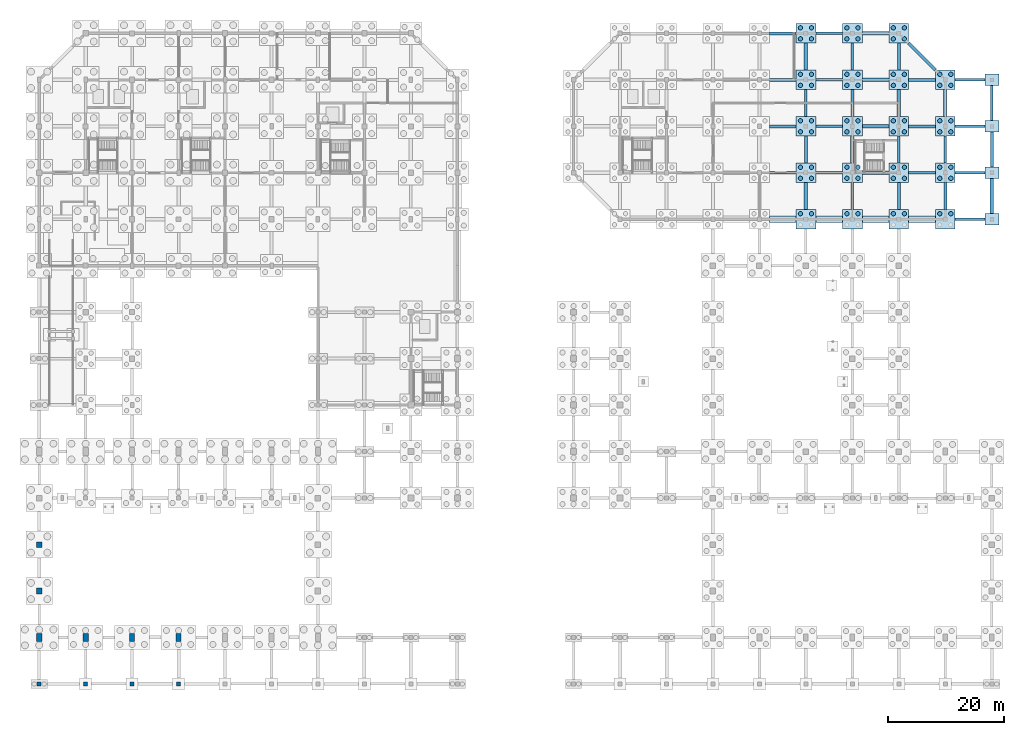
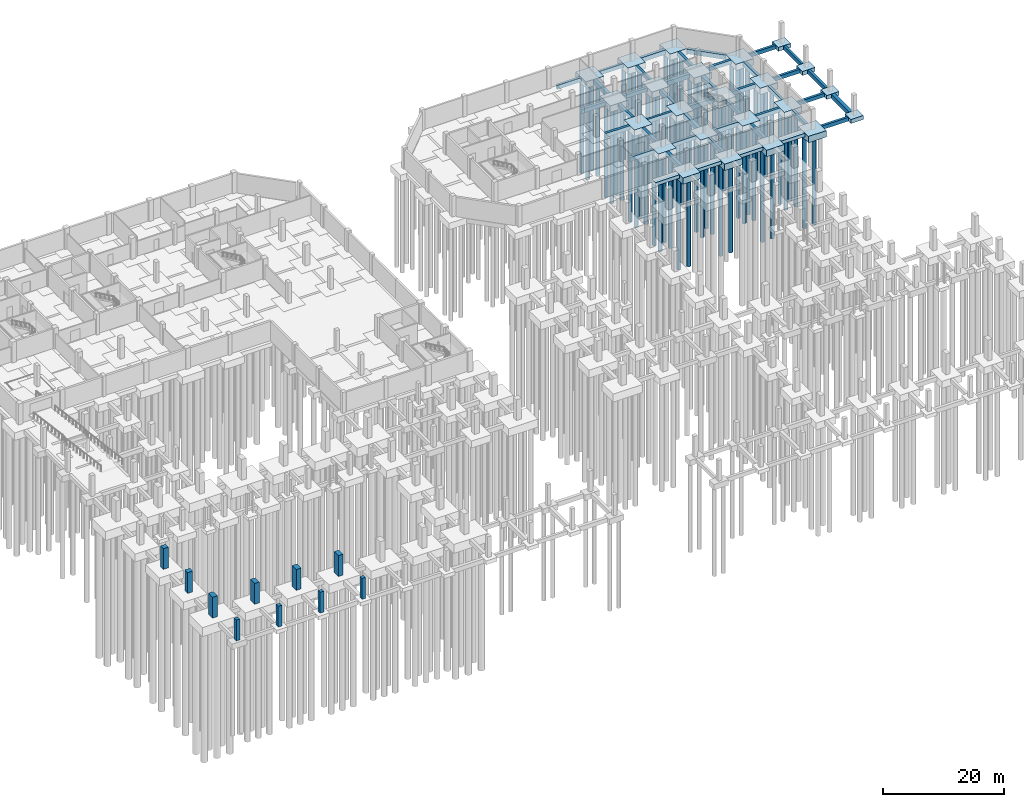
# One storey, part 10 of 32: 68 piles, 65 footings, 10 columns.
"""IFC4 building model written with IfcOpenShell, lengths in metres."""

from ifc_helpers import new_model, si_unit, direction, frame, origin, origin_2d, place, context, subcontext, project, spatial, polyline, rectangle, circle, outline, extrude, material, material_profile, profile_set, type_object, element, save


model = new_model("IFC4")

# Units and contexts
model_context = context("Model", 3, precision=1e-05, world=origin(), true_north=direction((0.0, 1.0)))
body_context = subcontext(model_context, "Body", "Model", "MODEL_VIEW")
ifc_project = project(units=[si_unit("LENGTHUNIT", "METRE"), si_unit("AREAUNIT", "SQUARE_METRE"), si_unit("VOLUMEUNIT", "CUBIC_METRE"), si_unit("PLANEANGLEUNIT", "RADIAN"), si_unit("MASSUNIT", "GRAM", prefix="KILO")], contexts=[model_context])

# Site, building, storey
site_placement = place(None, origin())
site = spatial("IfcSite", under=ifc_project, at=site_placement, CompositionType="ELEMENT")
building_placement = place(site_placement, origin())
building = spatial("IfcBuilding", under=site, at=building_placement, Name="Tenunan Teduh Sports Hall", CompositionType="ELEMENT")
storey_placement = place(building_placement, frame((0.0, 0.0, -4.199951171875)))
storey = spatial("IfcBuildingStorey", under=building, at=storey_placement, Name="B1", CompositionType="ELEMENT", Elevation=-4.199951171875)

# Footings
ifc_material_1 = material(Name="Concrete C40/50", Category="concrete")
ifc_material_profile_1 = material_profile(ifc_material_1, rectangle(XDim=0.449951171875, YDim=0.75, at=origin_2d()), Name="RCB 450x750")
ifc_profile_set_1 = profile_set([ifc_material_profile_1], Name="Concrete C40/50")
footing_type_1 = type_object("IfcFootingType", Name="GB-450x750", PredefinedType="FOOTING_BEAM", material=ifc_profile_set_1)
footing_1_placement = place(storey_placement, frame((163.701904296875, 86.0, -0.375), z_axis=(1.0, 0.0, 0.0), x_axis=(0.0, 1.0, 0.0)))
element("IfcFooting", 1, at=footing_1_placement, inside=storey, type_object=footing_type_1, Name="FTG-GBX-110", PredefinedType="FOOTING_BEAM", context=body_context, shape_type="SweptSolid", body=[
    extrude(rectangle(XDim=0.449951171875, YDim=0.75, at=origin_2d()), origin(), (0.0, 0.0, 1.0), 5.09619140625),
])
footing_2_placement = place(storey_placement, frame((139.701904296875, 94.0, -0.375), z_axis=(1.0, 0.0, 0.0), x_axis=(0.0, 1.0, 0.0)))
element("IfcFooting", 2, at=footing_2_placement, inside=storey, type_object=footing_type_1, Name="FTG-GBX-125", PredefinedType="FOOTING_BEAM", context=body_context, shape_type="SweptSolid", body=[
    extrude(rectangle(XDim=0.449951171875, YDim=0.75, at=origin_2d()), origin(), (0.0, 0.0, 1.0), 4.59619140625),
])
footing_3_placement = place(storey_placement, frame((163.701904296875, 94.0, -0.375), z_axis=(1.0, 0.0, 0.0), x_axis=(0.0, 1.0, 0.0)))
element("IfcFooting", 3, at=footing_3_placement, inside=storey, type_object=footing_type_1, Name="FTG-GBX-128", PredefinedType="FOOTING_BEAM", context=body_context, shape_type="SweptSolid", body=[
    extrude(rectangle(XDim=0.449951171875, YDim=0.75, at=origin_2d()), origin(), (0.0, 0.0, 1.0), 5.09619140625),
])
footing_4_placement = place(storey_placement, frame((139.701904296875, 102.0, -0.375), z_axis=(1.0, 0.0, 0.0), x_axis=(0.0, 1.0, 0.0)))
element("IfcFooting", 4, at=footing_4_placement, inside=storey, type_object=footing_type_1, Name="FTG-GBX-143", PredefinedType="FOOTING_BEAM", context=body_context, shape_type="SweptSolid", body=[
    extrude(rectangle(XDim=0.449951171875, YDim=0.75, at=origin_2d()), origin(), (0.0, 0.0, 1.0), 4.59619140625),
])
footing_5_placement = place(storey_placement, frame((163.701904296875, 102.0, -0.375), z_axis=(1.0, 0.0, 0.0), x_axis=(0.0, 1.0, 0.0)))
element("IfcFooting", 5, at=footing_5_placement, inside=storey, type_object=footing_type_1, Name="FTG-GBX-146", PredefinedType="FOOTING_BEAM", context=body_context, shape_type="SweptSolid", body=[
    extrude(rectangle(XDim=0.449951171875, YDim=0.75, at=origin_2d()), origin(), (0.0, 0.0, 1.0), 5.09619140625),
])
footing_6_placement = place(storey_placement, frame((139.701904296875, 110.0, -0.375), z_axis=(1.0, 0.0, 0.0), x_axis=(0.0, 1.0, 0.0)))
element("IfcFooting", 6, at=footing_6_placement, inside=storey, type_object=footing_type_1, Name="FTG-GBX-161", PredefinedType="FOOTING_BEAM", context=body_context, shape_type="SweptSolid", body=[
    extrude(rectangle(XDim=0.449951171875, YDim=0.75, at=origin_2d()), origin(), (0.0, 0.0, 1.0), 4.59619140625),
])
footing_7_placement = place(storey_placement, frame((163.701904296875, 110.0, -0.375), z_axis=(1.0, 0.0, 0.0), x_axis=(0.0, 1.0, 0.0)))
element("IfcFooting", 7, at=footing_7_placement, inside=storey, type_object=footing_type_1, Name="FTG-GBX-164", PredefinedType="FOOTING_BEAM", context=body_context, shape_type="SweptSolid", body=[
    extrude(rectangle(XDim=0.449951171875, YDim=0.75, at=origin_2d()), origin(), (0.0, 0.0, 1.0), 5.09619140625),
])
for number, where, z_axis, x_axis, name in (
    (8, (139.701904296875, 118.0, -0.375), (1.0, 0.0, 0.0), (0.0, 1.0, 0.0), "FTG-GBX-169"),
    (9, (138.0, 103.701904296875, -0.375), (0.0, 1.0, 0.0), (-1.0, 0.0, 0.0), "FTG-GBY-304"),
    (10, (146.0, 87.701904296875, -0.375), (0.0, 1.0, 0.0), (-1.0, 0.0, 0.0), "FTG-GBY-313"),
    (11, (146.0, 111.701904296875, -0.375), (0.0, 1.0, 0.0), (-1.0, 0.0, 0.0), "FTG-GBY-316"),
    (12, (154.0, 95.701904296875, -0.375), (0.0, 1.0, 0.0), (-1.0, 0.0, 0.0), "FTG-GBY-325"),
    (13, (162.0, 95.701904296875, -0.375), (0.0, 1.0, 0.0), (-1.0, 0.0, 0.0), "FTG-GBY-331"),
):
    element("IfcFooting", number, at=place(storey_placement, frame(where, z_axis=z_axis, x_axis=x_axis)), inside=storey, type_object=footing_type_1, Name=name, PredefinedType="FOOTING_BEAM", context=body_context, shape_type="SweptSolid", body=[
        extrude(rectangle(XDim=0.449951171875, YDim=0.75, at=origin_2d()), origin(), (0.0, 0.0, 1.0), 4.59619140625),
    ])
footing_8_placement = place(storey_placement, frame((170.0, 103.001953125, -0.375), z_axis=(0.0, 1.0, 0.0), x_axis=(-1.0, 0.0, 0.0)))
element("IfcFooting", 14, at=footing_8_placement, inside=storey, type_object=footing_type_1, Name="FTG-GBY-340", PredefinedType="FOOTING_BEAM", context=body_context, shape_type="SweptSolid", body=[
    extrude(rectangle(XDim=0.449951171875, YDim=0.75, at=origin_2d()), origin(), (0.0, 0.0, 1.0), 5.99609375),
])
ifc_material_2 = material(Name="Concrete C40/50", Category="concrete")
ifc_material_profile_2 = material_profile(ifc_material_2, rectangle(XDim=0.5, YDim=0.800048828125, at=origin_2d()), Name="RCB 500x800")
ifc_profile_set_2 = profile_set([ifc_material_profile_2], Name="Concrete C40/50")
footing_type_2 = type_object("IfcFootingType", Name="GB-500x800", PredefinedType="FOOTING_BEAM", material=ifc_profile_set_2)
for number, where, z_axis, x_axis, name in (
    (15, (131.701904296875, 94.0, -0.400146484375), (1.0, 0.0, 0.0), (0.0, 1.0, 0.0), "FTG-GBX-124"),
    (16, (155.701904296875, 94.0, -0.400146484375), (1.0, 0.0, 0.0), (0.0, 1.0, 0.0), "FTG-GBX-127"),
    (17, (131.701904296875, 102.0, -0.400146484375), (1.0, 0.0, 0.0), (0.0, 1.0, 0.0), "FTG-GBX-142"),
    (18, (155.701904296875, 102.0, -0.400146484375), (1.0, 0.0, 0.0), (0.0, 1.0, 0.0), "FTG-GBX-145"),
    (19, (131.701904296875, 110.0, -0.400146484375), (1.0, 0.0, 0.0), (0.0, 1.0, 0.0), "FTG-GBX-160"),
    (20, (155.701904296875, 110.0, -0.400146484375), (1.0, 0.0, 0.0), (0.0, 1.0, 0.0), "FTG-GBX-163"),
    (21, (131.701904296875, 118.0, -0.400146484375), (1.0, 0.0, 0.0), (0.0, 1.0, 0.0), "FTG-GBX-168"),
    (22, (138.0, 95.701904296875, -0.400146484375), (0.0, 1.0, 0.0), (-1.0, 0.0, 0.0), "FTG-GBY-303"),
    (23, (146.0, 103.701904296875, -0.400146484375), (0.0, 1.0, 0.0), (-1.0, 0.0, 0.0), "FTG-GBY-315"),
    (24, (154.0, 87.701904296875, -0.400146484375), (0.0, 1.0, 0.0), (-1.0, 0.0, 0.0), "FTG-GBY-324"),
    (25, (154.0, 111.701904296875, -0.400146484375), (0.0, 1.0, 0.0), (-1.0, 0.0, 0.0), "FTG-GBY-327"),
    (26, (162.0, 87.701904296875, -0.400146484375), (0.0, 1.0, 0.0), (-1.0, 0.0, 0.0), "FTG-GBY-330"),
):
    element("IfcFooting", number, at=place(storey_placement, frame(where, z_axis=z_axis, x_axis=x_axis)), inside=storey, type_object=footing_type_2, Name=name, PredefinedType="FOOTING_BEAM", context=body_context, shape_type="SweptSolid", body=[
        extrude(rectangle(XDim=0.5, YDim=0.800048828125, at=origin_2d()), origin(), (0.0, 0.0, 1.0), 4.59619140625),
    ])
footing_9_placement = place(storey_placement, frame((170.0, 95.001953125, -0.400146484375), z_axis=(0.0, 1.0, 0.0), x_axis=(-1.0, 0.0, 0.0)))
element("IfcFooting", 27, at=footing_9_placement, inside=storey, type_object=footing_type_2, Name="FTG-GBY-339", PredefinedType="FOOTING_BEAM", context=body_context, shape_type="SweptSolid", body=[
    extrude(rectangle(XDim=0.5, YDim=0.800048828125, at=origin_2d()), origin(), (0.0, 0.0, 1.0), 5.99609375),
])
ifc_material_3 = material(Name="Concrete C40/50", Category="concrete")
ifc_material_profile_3 = material_profile(ifc_material_3, rectangle(XDim=0.60009765625, YDim=0.89990234375, at=origin_2d()), Name="RCB 600x900")
ifc_profile_set_3 = profile_set([ifc_material_profile_3], Name="Concrete C40/50")
footing_type_3 = type_object("IfcFootingType", Name="GB-600x900", PredefinedType="FOOTING_BEAM", material=ifc_profile_set_3)
for number, where, z_axis, x_axis, name in (
    (28, (147.701904296875, 94.0, -0.449951171875), (1.0, 0.0, 0.0), (0.0, 1.0, 0.0), "FTG-GBX-126"),
    (29, (147.701904296875, 102.0, -0.449951171875), (1.0, 0.0, 0.0), (0.0, 1.0, 0.0), "FTG-GBX-144"),
    (30, (147.701904296875, 110.0, -0.449951171875), (1.0, 0.0, 0.0), (0.0, 1.0, 0.0), "FTG-GBX-162"),
    (31, (147.701904296875, 118.0, -0.449951171875), (1.0, 0.0, 0.0), (0.0, 1.0, 0.0), "FTG-GBX-170"),
    (32, (138.0, 87.701904296875, -0.449951171875), (0.0, 1.0, 0.0), (-1.0, 0.0, 0.0), "FTG-GBY-302"),
    (33, (138.0, 111.701904296875, -0.449951171875), (0.0, 1.0, 0.0), (-1.0, 0.0, 0.0), "FTG-GBY-305"),
    (34, (146.0, 95.701904296875, -0.449951171875), (0.0, 1.0, 0.0), (-1.0, 0.0, 0.0), "FTG-GBY-314"),
    (35, (154.0, 103.701904296875, -0.449951171875), (0.0, 1.0, 0.0), (-1.0, 0.0, 0.0), "FTG-GBY-326"),
    (36, (162.0, 103.701904296875, -0.449951171875), (0.0, 1.0, 0.0), (-1.0, 0.0, 0.0), "FTG-GBY-332"),
):
    element("IfcFooting", number, at=place(storey_placement, frame(where, z_axis=z_axis, x_axis=x_axis)), inside=storey, type_object=footing_type_3, Name=name, PredefinedType="FOOTING_BEAM", context=body_context, shape_type="SweptSolid", body=[
        extrude(rectangle(XDim=0.60009765625, YDim=0.89990234375, at=origin_2d()), origin(), (0.0, 0.0, 1.0), 4.59619140625),
    ])
footing_10_placement = place(storey_placement, frame((170.0, 87.001953125, -0.449951171875), z_axis=(0.0, 1.0, 0.0), x_axis=(-1.0, 0.0, 0.0)))
element("IfcFooting", 37, at=footing_10_placement, inside=storey, type_object=footing_type_3, Name="FTG-GBY-338", PredefinedType="FOOTING_BEAM", context=body_context, shape_type="SweptSolid", body=[
    extrude(rectangle(XDim=0.60009765625, YDim=0.89990234375, at=origin_2d()), origin(), (0.0, 0.0, 1.0), 5.99609375),
])
footing_11_placement = place(storey_placement, frame((155.701904296875, 116.298095703125, -0.449951171875), z_axis=(0.707106781187, -0.707106781187, 0.0), x_axis=(0.707106781187, 0.707106781187, 0.0)))
element("IfcFooting", 38, at=footing_11_placement, inside=storey, type_object=footing_type_3, Name="FTG-GBD-344", PredefinedType="FOOTING_BEAM", context=body_context, shape_type="SweptSolid", body=[
    extrude(rectangle(XDim=0.60009765625, YDim=0.89990234375, at=origin_2d()), origin(), (0.0, 0.0, 1.0), 6.5),
])
ifc_material_4 = material(Name="Concrete C40/50", Category="concrete")
footing_type_4 = type_object("IfcFootingType", Name="PC-4A", PredefinedType="PILE_CAP", material=ifc_material_4)
for number, where, z_axis, x_axis, name in (
    (39, (138.0, 86.0, -1.30029296875), (0.0, 0.0, 1.0), (1.0, 0.0, 0.0), "FTG-PC-181"),
    (40, (138.0, 94.0, -1.30029296875), (0.0, 0.0, 1.0), (1.0, 0.0, 0.0), "FTG-PC-182"),
    (41, (138.0, 102.0, -1.30029296875), (0.0, 0.0, 1.0), (1.0, 0.0, 0.0), "FTG-PC-183"),
    (42, (138.0, 110.0, -1.30029296875), (0.0, 0.0, 1.0), (1.0, 0.0, 0.0), "FTG-PC-184"),
    (43, (138.0, 118.0, -1.30029296875), (0.0, 0.0, 1.0), (1.0, 0.0, 0.0), "FTG-PC-185"),
    (44, (146.0, 86.0, -1.30029296875), (0.0, 0.0, 1.0), (1.0, 0.0, 0.0), "FTG-PC-194"),
    (45, (146.0, 94.0, -1.30029296875), (0.0, 0.0, 1.0), (1.0, 0.0, 0.0), "FTG-PC-195"),
    (46, (146.0, 102.0, -1.30029296875), (0.0, 0.0, 1.0), (1.0, 0.0, 0.0), "FTG-PC-196"),
    (47, (146.0, 110.0, -1.30029296875), (0.0, 0.0, 1.0), (1.0, 0.0, 0.0), "FTG-PC-197"),
    (48, (146.0, 118.0, -1.30029296875), (0.0, 0.0, 1.0), (1.0, 0.0, 0.0), "FTG-PC-198"),
    (49, (154.0, 86.0, -1.30029296875), (0.0, 0.0, 1.0), (1.0, 0.0, 0.0), "FTG-PC-207"),
    (50, (154.0, 94.0, -1.30029296875), (0.0, 0.0, 1.0), (1.0, 0.0, 0.0), "FTG-PC-208"),
    (51, (154.0, 102.0, -1.30029296875), (0.0, 0.0, 1.0), (1.0, 0.0, 0.0), "FTG-PC-209"),
    (52, (154.0, 110.0, -1.30029296875), (0.0, 0.0, 1.0), (1.0, 0.0, 0.0), "FTG-PC-210"),
    (53, (154.0, 118.0, -1.30029296875), (0.0, 0.0, 1.0), (1.0, 0.0, 0.0), "FTG-PC-211"),
    (54, (162.0, 86.0, -1.30029296875), (0.0, 0.0, 1.0), (1.0, 0.0, 0.0), "FTG-PC-216"),
    (55, (162.0, 94.0, -1.30029296875), (0.0, 0.0, 1.0), (1.0, 0.0, 0.0), "FTG-PC-217"),
    (56, (162.0, 102.0, -1.30029296875), (0.0, 0.0, 1.0), (1.0, 0.0, 0.0), "FTG-PC-218"),
    (57, (162.0, 110.0, -1.30029296875), (0.0, 0.0, 1.0), (1.0, 0.0, 0.0), "FTG-PC-219"),
):
    element("IfcFooting", number, at=place(storey_placement, frame(where, z_axis=z_axis, x_axis=x_axis)), inside=storey, type_object=footing_type_4, Name=name, PredefinedType="PILE_CAP", context=body_context, shape_type="SweptSolid", body=[
        extrude(rectangle(XDim=3.39990234375, YDim=3.39990234375, at=origin_2d()), origin(), (0.0, 0.0, 1.0), 1.300048828125),
    ])
ifc_material_5 = material(Name="Concrete C40/50", Category="concrete")
footing_type_5 = type_object("IfcFootingType", Name="PF-1C", PredefinedType="PAD_FOOTING", material=ifc_material_5)
for number, where, z_axis, x_axis, name in (
    (58, (170.0, 86.0, -0.80029296875), (0.0, 0.0, 1.0), (1.0, 0.0, 0.0), "FTG-PAD-226"),
    (59, (170.0, 94.0, -0.80029296875), (0.0, 0.0, 1.0), (1.0, 0.0, 0.0), "FTG-PAD-227"),
    (60, (170.0, 102.0, -0.80029296875), (0.0, 0.0, 1.0), (1.0, 0.0, 0.0), "FTG-PAD-228"),
    (61, (170.0, 110.0, -0.80029296875), (0.0, 0.0, 1.0), (1.0, 0.0, 0.0), "FTG-PAD-229"),
):
    element("IfcFooting", number, at=place(storey_placement, frame(where, z_axis=z_axis, x_axis=x_axis)), inside=storey, type_object=footing_type_5, Name=name, PredefinedType="PAD_FOOTING", context=body_context, shape_type="SweptSolid", body=[
        extrude(rectangle(XDim=2.39990234375, YDim=2.0, at=origin_2d()), origin(), (0.0, 0.0, 1.0), 0.800048828125),
    ])

# Piles
ifc_material_6 = material(Name="Concrete C40/50", Category="concrete")
ifc_material_profile_4 = material_profile(ifc_material_6, circle(Radius=0.375, at=origin_2d()), Name="PILE D750")
ifc_profile_set_4 = profile_set([ifc_material_profile_4], Name="Concrete C40/50")
pile_type = type_object("IfcPileType", Name="PILE-D750", PredefinedType="BORED", material=ifc_profile_set_4)
for number, where, z_axis, x_axis, name in (
    (62, (137.050048828125, 86.949951171875, -1.199951171875), (0.0, 0.0, -1.0), (1.0, 0.0, 0.0), "PILE-PL-1-181-3"),
    (63, (138.949951171875, 86.949951171875, -1.199951171875), (0.0, 0.0, -1.0), (1.0, 0.0, 0.0), "PILE-PL-1-181-4"),
    (64, (137.050048828125, 93.050048828125, -1.199951171875), (0.0, 0.0, -1.0), (1.0, 0.0, 0.0), "PILE-PL-1-182-1"),
    (65, (138.949951171875, 93.050048828125, -1.199951171875), (0.0, 0.0, -1.0), (1.0, 0.0, 0.0), "PILE-PL-1-182-2"),
    (66, (137.050048828125, 94.949951171875, -1.199951171875), (0.0, 0.0, -1.0), (1.0, 0.0, 0.0), "PILE-PL-1-182-3"),
    (67, (138.949951171875, 94.949951171875, -1.199951171875), (0.0, 0.0, -1.0), (1.0, 0.0, 0.0), "PILE-PL-1-182-4"),
    (68, (137.050048828125, 101.050048828125, -1.199951171875), (0.0, 0.0, -1.0), (1.0, 0.0, 0.0), "PILE-PL-1-183-1"),
    (69, (138.949951171875, 101.050048828125, -1.199951171875), (0.0, 0.0, -1.0), (1.0, 0.0, 0.0), "PILE-PL-1-183-2"),
    (70, (137.050048828125, 102.949951171875, -1.199951171875), (0.0, 0.0, -1.0), (1.0, 0.0, 0.0), "PILE-PL-1-183-3"),
    (71, (138.949951171875, 102.949951171875, -1.199951171875), (0.0, 0.0, -1.0), (1.0, 0.0, 0.0), "PILE-PL-1-183-4"),
    (72, (137.050048828125, 109.050048828125, -1.199951171875), (0.0, 0.0, -1.0), (1.0, 0.0, 0.0), "PILE-PL-1-184-1"),
    (73, (138.949951171875, 109.050048828125, -1.199951171875), (0.0, 0.0, -1.0), (1.0, 0.0, 0.0), "PILE-PL-1-184-2"),
    (74, (137.050048828125, 110.949951171875, -1.199951171875), (0.0, 0.0, -1.0), (1.0, 0.0, 0.0), "PILE-PL-1-184-3"),
    (75, (138.949951171875, 110.949951171875, -1.199951171875), (0.0, 0.0, -1.0), (1.0, 0.0, 0.0), "PILE-PL-1-184-4"),
    (76, (137.050048828125, 117.050048828125, -1.199951171875), (0.0, 0.0, -1.0), (1.0, 0.0, 0.0), "PILE-PL-1-185-1"),
    (77, (138.949951171875, 117.050048828125, -1.199951171875), (0.0, 0.0, -1.0), (1.0, 0.0, 0.0), "PILE-PL-1-185-2"),
    (78, (137.050048828125, 118.949951171875, -1.199951171875), (0.0, 0.0, -1.0), (1.0, 0.0, 0.0), "PILE-PL-1-185-3"),
    (79, (138.949951171875, 118.949951171875, -1.199951171875), (0.0, 0.0, -1.0), (1.0, 0.0, 0.0), "PILE-PL-1-185-4"),
    (80, (145.050048828125, 86.949951171875, -1.199951171875), (0.0, 0.0, -1.0), (1.0, 0.0, 0.0), "PILE-PL-1-194-3"),
    (81, (146.949951171875, 86.949951171875, -1.199951171875), (0.0, 0.0, -1.0), (1.0, 0.0, 0.0), "PILE-PL-1-194-4"),
    (82, (145.050048828125, 93.050048828125, -1.199951171875), (0.0, 0.0, -1.0), (1.0, 0.0, 0.0), "PILE-PL-1-195-1"),
    (83, (146.949951171875, 93.050048828125, -1.199951171875), (0.0, 0.0, -1.0), (1.0, 0.0, 0.0), "PILE-PL-1-195-2"),
    (84, (145.050048828125, 94.949951171875, -1.199951171875), (0.0, 0.0, -1.0), (1.0, 0.0, 0.0), "PILE-PL-1-195-3"),
    (85, (146.949951171875, 94.949951171875, -1.199951171875), (0.0, 0.0, -1.0), (1.0, 0.0, 0.0), "PILE-PL-1-195-4"),
    (86, (145.050048828125, 101.050048828125, -1.199951171875), (0.0, 0.0, -1.0), (1.0, 0.0, 0.0), "PILE-PL-1-196-1"),
    (87, (146.949951171875, 101.050048828125, -1.199951171875), (0.0, 0.0, -1.0), (1.0, 0.0, 0.0), "PILE-PL-1-196-2"),
    (88, (145.050048828125, 102.949951171875, -1.199951171875), (0.0, 0.0, -1.0), (1.0, 0.0, 0.0), "PILE-PL-1-196-3"),
    (89, (146.949951171875, 102.949951171875, -1.199951171875), (0.0, 0.0, -1.0), (1.0, 0.0, 0.0), "PILE-PL-1-196-4"),
    (90, (145.050048828125, 109.050048828125, -1.199951171875), (0.0, 0.0, -1.0), (1.0, 0.0, 0.0), "PILE-PL-1-197-1"),
    (91, (146.949951171875, 109.050048828125, -1.199951171875), (0.0, 0.0, -1.0), (1.0, 0.0, 0.0), "PILE-PL-1-197-2"),
    (92, (145.050048828125, 110.949951171875, -1.199951171875), (0.0, 0.0, -1.0), (1.0, 0.0, 0.0), "PILE-PL-1-197-3"),
    (93, (146.949951171875, 110.949951171875, -1.199951171875), (0.0, 0.0, -1.0), (1.0, 0.0, 0.0), "PILE-PL-1-197-4"),
    (94, (145.050048828125, 117.050048828125, -1.199951171875), (0.0, 0.0, -1.0), (1.0, 0.0, 0.0), "PILE-PL-1-198-1"),
    (95, (146.949951171875, 117.050048828125, -1.199951171875), (0.0, 0.0, -1.0), (1.0, 0.0, 0.0), "PILE-PL-1-198-2"),
    (96, (145.050048828125, 118.949951171875, -1.199951171875), (0.0, 0.0, -1.0), (1.0, 0.0, 0.0), "PILE-PL-1-198-3"),
    (97, (146.949951171875, 118.949951171875, -1.199951171875), (0.0, 0.0, -1.0), (1.0, 0.0, 0.0), "PILE-PL-1-198-4"),
    (98, (153.050048828125, 86.949951171875, -1.199951171875), (0.0, 0.0, -1.0), (1.0, 0.0, 0.0), "PILE-PL-1-207-3"),
    (99, (154.949951171875, 86.949951171875, -1.199951171875), (0.0, 0.0, -1.0), (1.0, 0.0, 0.0), "PILE-PL-1-207-4"),
    (100, (153.050048828125, 93.050048828125, -1.199951171875), (0.0, 0.0, -1.0), (1.0, 0.0, 0.0), "PILE-PL-1-208-1"),
    (101, (154.949951171875, 93.050048828125, -1.199951171875), (0.0, 0.0, -1.0), (1.0, 0.0, 0.0), "PILE-PL-1-208-2"),
    (102, (153.050048828125, 94.949951171875, -1.199951171875), (0.0, 0.0, -1.0), (1.0, 0.0, 0.0), "PILE-PL-1-208-3"),
    (103, (154.949951171875, 94.949951171875, -1.199951171875), (0.0, 0.0, -1.0), (1.0, 0.0, 0.0), "PILE-PL-1-208-4"),
    (104, (153.050048828125, 101.050048828125, -1.199951171875), (0.0, 0.0, -1.0), (1.0, 0.0, 0.0), "PILE-PL-1-209-1"),
    (105, (154.949951171875, 101.050048828125, -1.199951171875), (0.0, 0.0, -1.0), (1.0, 0.0, 0.0), "PILE-PL-1-209-2"),
    (106, (153.050048828125, 102.949951171875, -1.199951171875), (0.0, 0.0, -1.0), (1.0, 0.0, 0.0), "PILE-PL-1-209-3"),
    (107, (154.949951171875, 102.949951171875, -1.199951171875), (0.0, 0.0, -1.0), (1.0, 0.0, 0.0), "PILE-PL-1-209-4"),
    (108, (153.050048828125, 109.050048828125, -1.199951171875), (0.0, 0.0, -1.0), (1.0, 0.0, 0.0), "PILE-PL-1-210-1"),
    (109, (154.949951171875, 109.050048828125, -1.199951171875), (0.0, 0.0, -1.0), (1.0, 0.0, 0.0), "PILE-PL-1-210-2"),
    (110, (153.050048828125, 110.949951171875, -1.199951171875), (0.0, 0.0, -1.0), (1.0, 0.0, 0.0), "PILE-PL-1-210-3"),
    (111, (154.949951171875, 110.949951171875, -1.199951171875), (0.0, 0.0, -1.0), (1.0, 0.0, 0.0), "PILE-PL-1-210-4"),
    (112, (153.050048828125, 117.050048828125, -1.199951171875), (0.0, 0.0, -1.0), (1.0, 0.0, 0.0), "PILE-PL-1-211-1"),
    (113, (154.949951171875, 117.050048828125, -1.199951171875), (0.0, 0.0, -1.0), (1.0, 0.0, 0.0), "PILE-PL-1-211-2"),
    (114, (153.050048828125, 118.949951171875, -1.199951171875), (0.0, 0.0, -1.0), (1.0, 0.0, 0.0), "PILE-PL-1-211-3"),
    (115, (154.949951171875, 118.949951171875, -1.199951171875), (0.0, 0.0, -1.0), (1.0, 0.0, 0.0), "PILE-PL-1-211-4"),
    (116, (161.050048828125, 86.949951171875, -1.199951171875), (0.0, 0.0, -1.0), (1.0, 0.0, 0.0), "PILE-PL-1-216-3"),
    (117, (162.949951171875, 86.949951171875, -1.199951171875), (0.0, 0.0, -1.0), (1.0, 0.0, 0.0), "PILE-PL-1-216-4"),
    (118, (161.050048828125, 93.050048828125, -1.199951171875), (0.0, 0.0, -1.0), (1.0, 0.0, 0.0), "PILE-PL-1-217-1"),
    (119, (162.949951171875, 93.050048828125, -1.199951171875), (0.0, 0.0, -1.0), (1.0, 0.0, 0.0), "PILE-PL-1-217-2"),
    (120, (161.050048828125, 94.949951171875, -1.199951171875), (0.0, 0.0, -1.0), (1.0, 0.0, 0.0), "PILE-PL-1-217-3"),
    (121, (162.949951171875, 94.949951171875, -1.199951171875), (0.0, 0.0, -1.0), (1.0, 0.0, 0.0), "PILE-PL-1-217-4"),
    (122, (161.050048828125, 101.050048828125, -1.199951171875), (0.0, 0.0, -1.0), (1.0, 0.0, 0.0), "PILE-PL-1-218-1"),
    (123, (162.949951171875, 101.050048828125, -1.199951171875), (0.0, 0.0, -1.0), (1.0, 0.0, 0.0), "PILE-PL-1-218-2"),
    (124, (161.050048828125, 102.949951171875, -1.199951171875), (0.0, 0.0, -1.0), (1.0, 0.0, 0.0), "PILE-PL-1-218-3"),
    (125, (162.949951171875, 102.949951171875, -1.199951171875), (0.0, 0.0, -1.0), (1.0, 0.0, 0.0), "PILE-PL-1-218-4"),
    (126, (161.050048828125, 109.050048828125, -1.199951171875), (0.0, 0.0, -1.0), (1.0, 0.0, 0.0), "PILE-PL-1-219-1"),
    (127, (162.949951171875, 109.050048828125, -1.199951171875), (0.0, 0.0, -1.0), (1.0, 0.0, 0.0), "PILE-PL-1-219-2"),
    (128, (161.050048828125, 110.949951171875, -1.199951171875), (0.0, 0.0, -1.0), (1.0, 0.0, 0.0), "PILE-PL-1-219-3"),
    (129, (162.949951171875, 110.949951171875, -1.199951171875), (0.0, 0.0, -1.0), (1.0, 0.0, 0.0), "PILE-PL-1-219-4"),
):
    element("IfcPile", number, at=place(storey_placement, frame(where, z_axis=z_axis, x_axis=x_axis)), inside=storey, type_object=pile_type, Name=name, PredefinedType="BORED", context=body_context, shape_type="SweptSolid", body=[
        extrude(circle(Radius=0.375, at=origin_2d()), origin(), (0.0, 0.0, 1.0), 19.0),
    ])

# Footings
ifc_material_7 = material(Name="Concrete C40/50", Category="concrete")
footing_type_6 = type_object("IfcFootingType", Name="SF-1200x700", PredefinedType="STRIP_FOOTING", material=ifc_material_7)
footing_12_placement = place(storey_placement, frame((0.0, 0.0, -0.699951171875)))
element("IfcFooting", 130, at=footing_12_placement, inside=storey, type_object=footing_type_6, Name="FTG-SF-07-04", PredefinedType="STRIP_FOOTING", context=body_context, shape_type="SweptSolid", body=[
    extrude(outline(polyline([(131.701904296875, 85.39990234375), (136.298095703125, 85.39990234375), (136.298095703125, 86.60009765625), (131.701904296875, 86.60009765625), (131.701904296875, 85.39990234375)])), origin(), (0.0, 0.0, 1.0), 0.699951171875),
])
footing_13_placement = place(storey_placement, frame((0.0, 0.0, -0.699951171875)))
element("IfcFooting", 131, at=footing_13_placement, inside=storey, type_object=footing_type_6, Name="FTG-SF-07-05", PredefinedType="STRIP_FOOTING", context=body_context, shape_type="SweptSolid", body=[
    extrude(outline(polyline([(139.701904296875, 85.39990234375), (144.298095703125, 85.39990234375), (144.298095703125, 86.60009765625), (139.701904296875, 86.60009765625), (139.701904296875, 85.39990234375)])), origin(), (0.0, 0.0, 1.0), 0.699951171875),
])
footing_14_placement = place(storey_placement, frame((0.0, 0.0, -0.699951171875)))
element("IfcFooting", 132, at=footing_14_placement, inside=storey, type_object=footing_type_6, Name="FTG-SF-07-06", PredefinedType="STRIP_FOOTING", context=body_context, shape_type="SweptSolid", body=[
    extrude(outline(polyline([(147.701904296875, 85.39990234375), (152.298095703125, 85.39990234375), (152.298095703125, 86.60009765625), (147.701904296875, 86.60009765625), (147.701904296875, 85.39990234375)])), origin(), (0.0, 0.0, 1.0), 0.699951171875),
])
footing_15_placement = place(storey_placement, frame((0.0, 0.0, -0.699951171875)))
element("IfcFooting", 133, at=footing_15_placement, inside=storey, type_object=footing_type_6, Name="FTG-SF-07-07", PredefinedType="STRIP_FOOTING", context=body_context, shape_type="SweptSolid", body=[
    extrude(outline(polyline([(155.701904296875, 85.39990234375), (160.298095703125, 85.39990234375), (160.298095703125, 86.60009765625), (155.701904296875, 86.60009765625), (155.701904296875, 85.39990234375)])), origin(), (0.0, 0.0, 1.0), 0.699951171875),
])

# Columns
ifc_material_8 = material(Name="Concrete C40/50", Category="concrete")
ifc_material_profile_5 = material_profile(ifc_material_8, rectangle(XDim=0.699951171875, YDim=0.699951171875, at=origin_2d()), Name="RC 700x700")
ifc_profile_set_5 = profile_set([ifc_material_profile_5], Name="Concrete C40/50")
column_type_1 = type_object("IfcColumnType", Name="COL-RC-700", PredefinedType="COLUMN", material=ifc_profile_set_5)
for number, where, z_axis, x_axis, name in (
    (134, (6.0, 6.0, 0.0), (0.0, 0.0, 1.0), (1.0, 0.0, 0.0), "COL-C-07-B1-001"),
    (135, (14.0, 6.0, 0.0), (0.0, 0.0, 1.0), (1.0, 0.0, 0.0), "COL-C-07-B1-015"),
    (136, (22.0, 6.0, 0.0), (0.0, 0.0, 1.0), (1.0, 0.0, 0.0), "COL-C-07-B1-028"),
    (137, (30.0, 6.0, 0.0), (0.0, 0.0, 1.0), (1.0, 0.0, 0.0), "COL-C-07-B1-041"),
):
    element("IfcColumn", number, at=place(storey_placement, frame(where, z_axis=z_axis, x_axis=x_axis)), inside=storey, type_object=column_type_1, Name=name, PredefinedType="COLUMN", context=body_context, shape_type="SweptSolid", body=[
        extrude(rectangle(XDim=0.699951171875, YDim=0.699951171875, at=origin_2d()), origin(), (0.0, 0.0, 1.0), 4.199951171875),
    ])
ifc_material_9 = material(Name="Concrete C40/50", Category="concrete")
ifc_material_profile_6 = material_profile(ifc_material_9, rectangle(XDim=0.89990234375, YDim=1.39990234375, at=origin_2d()), Name="RC 900x1400")
ifc_profile_set_6 = profile_set([ifc_material_profile_6], Name="Concrete C40/50")
column_type_2 = type_object("IfcColumnType", Name="COL-RC-900x1400", PredefinedType="COLUMN", material=ifc_profile_set_6)
for number, where, z_axis, x_axis, name in (
    (138, (6.0, 14.0, 0.0), (0.0, 0.0, 1.0), (1.0, 0.0, 0.0), "COL-C-13-B1-002"),
    (139, (14.0, 14.0, 0.0), (0.0, 0.0, 1.0), (1.0, 0.0, 0.0), "COL-C-13-B1-016"),
    (140, (22.0, 14.0, 0.0), (0.0, 0.0, 1.0), (1.0, 0.0, 0.0), "COL-C-13-B1-029"),
    (141, (30.0, 14.0, 0.0), (0.0, 0.0, 1.0), (1.0, 0.0, 0.0), "COL-C-13-B1-042"),
):
    element("IfcColumn", number, at=place(storey_placement, frame(where, z_axis=z_axis, x_axis=x_axis)), inside=storey, type_object=column_type_2, Name=name, PredefinedType="COLUMN", context=body_context, shape_type="SweptSolid", body=[
        extrude(rectangle(XDim=0.89990234375, YDim=1.39990234375, at=origin_2d()), origin(), (0.0, 0.0, 1.0), 4.199951171875),
    ])
ifc_material_10 = material(Name="Concrete C40/50", Category="concrete")
ifc_material_profile_7 = material_profile(ifc_material_10, rectangle(XDim=0.949951171875, YDim=0.949951171875, at=origin_2d()), Name="RC 950x950")
ifc_profile_set_7 = profile_set([ifc_material_profile_7], Name="Concrete C40/50")
column_type_3 = type_object("IfcColumnType", Name="COL-RC-950", PredefinedType="COLUMN", material=ifc_profile_set_7)
for number, where, z_axis, x_axis, name in (
    (142, (6.0, 22.0, 0.0), (0.0, 0.0, 1.0), (1.0, 0.0, 0.0), "COL-C-02-B1-003"),
    (143, (6.0, 30.0, 0.0), (0.0, 0.0, 1.0), (1.0, 0.0, 0.0), "COL-C-02-B1-004"),
):
    element("IfcColumn", number, at=place(storey_placement, frame(where, z_axis=z_axis, x_axis=x_axis)), inside=storey, type_object=column_type_3, Name=name, PredefinedType="COLUMN", context=body_context, shape_type="SweptSolid", body=[
        extrude(rectangle(XDim=0.949951171875, YDim=0.949951171875, at=origin_2d()), origin(), (0.0, 0.0, 1.0), 4.199951171875),
    ])

save(model, "model.ifc")
